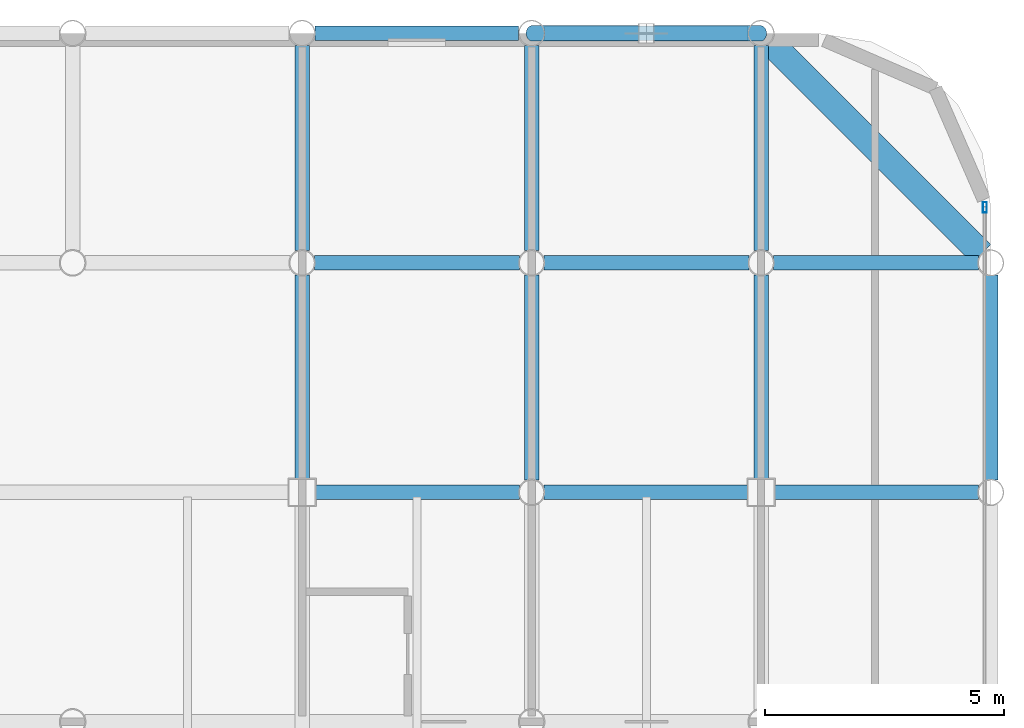
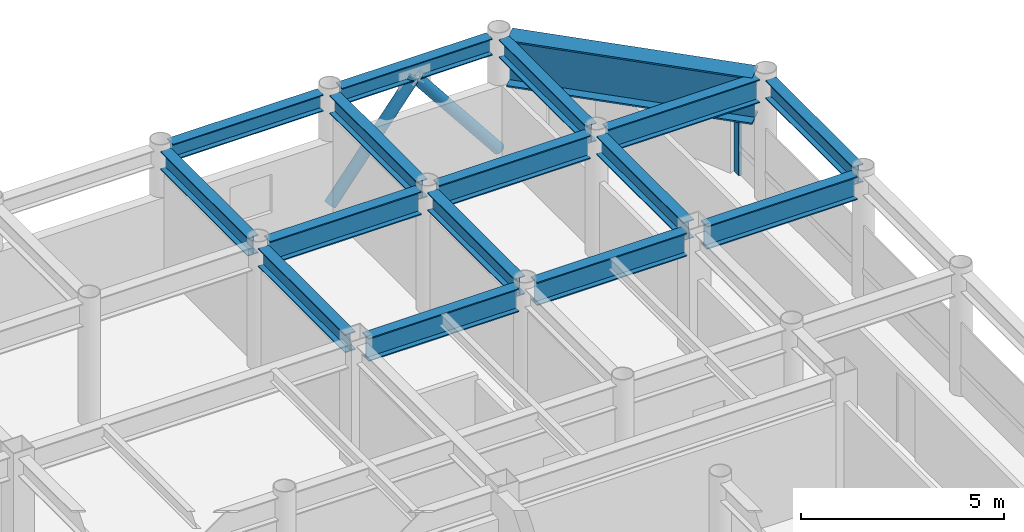
# One storey, part 16 of 22: 16 beams, 3 members, 1 element without a shape of its own.
"""IFC4 building model written with IfcOpenShell, lengths in metres."""

from ifc_helpers import new_model, si_unit, direction, frame, origin, origin_2d, place, context, subcontext, project, spatial, hollow_rectangle, hollow_circle, i_section, extrude, material, layer, layer_set, material_profile, profile_set, type_object, element, aggregate, save


model = new_model("IFC4")

# Units and contexts
model_context = context("Model", 3, precision=1e-05, world=origin(), true_north=direction((0.0, 1.0)))
body_context = subcontext(model_context, "Body", "Model", "MODEL_VIEW")
ifc_project = project(units=[si_unit("LENGTHUNIT", "METRE"), si_unit("AREAUNIT", "SQUARE_METRE"), si_unit("VOLUMEUNIT", "CUBIC_METRE"), si_unit("PLANEANGLEUNIT", "RADIAN"), si_unit("MASSUNIT", "GRAM", prefix="KILO")], contexts=[model_context])

# Site, building, storey
site_placement = place(None, origin())
site = spatial("IfcSite", under=ifc_project, at=site_placement, CompositionType="ELEMENT")
building_placement = place(site_placement, origin())
building = spatial("IfcBuilding", under=site, at=building_placement, Name="Kallvorn Hotel Tower", CompositionType="ELEMENT")
storey_placement = place(building_placement, frame((0.0, 0.0, 253.10009765625)))
storey = spatial("IfcBuildingStorey", under=building, at=storey_placement, Name="L63", CompositionType="ELEMENT", Elevation=253.10009765625)

# Beams
ifc_material_1 = material(Name="Structural steel S355JR", Category="steel")
ifc_material_profile_1 = material_profile(ifc_material_1, i_section(OverallWidth=0.300048828125, OverallDepth=0.5, WebThickness=0.014404296875, FlangeThickness=0.028076171875, at=origin_2d()), Name="HE 500 B")
ifc_profile_set_1 = profile_set([ifc_material_profile_1], Name="Structural steel S355JR")
beam_type_1 = type_object("IfcBeamType", Name="BM_HE500B", PredefinedType="SPANDREL", material=ifc_profile_set_1)
for number, where, z_axis, x_axis, name in (
    (1, (14.66943359375, 24.0, 3.419921875), (1.0, 0.0, 0.0), (0.0, 1.0, 0.0), "L64 Perimeter Spandrel 172"),
    (2, (19.469482421875, 24.0, 3.419921875), (1.0, 0.0, 0.0), (0.0, 1.0, 0.0), "L64 Perimeter Spandrel 173"),
):
    element("IfcBeam", number, at=place(storey_placement, frame(where, z_axis=z_axis, x_axis=x_axis)), inside=storey, type_object=beam_type_1, Name=name, PredefinedType="SPANDREL", context=body_context, shape_type="SweptSolid", body=[
        extrude(i_section(OverallWidth=0.300048828125, OverallDepth=0.5, WebThickness=0.014404296875, FlangeThickness=0.028076171875, at=origin_2d()), origin(), (0.0, 0.0, 1.0), 4.260986328125),
    ])
ifc_material_2 = material(Name="Structural steel S355JR", Category="steel")
ifc_material_profile_2 = material_profile(ifc_material_2, i_section(OverallWidth=0.300048828125, OverallDepth=0.550048828125, WebThickness=0.014892578125, FlangeThickness=0.029052734375, at=origin_2d()), Name="HE 550 B")
ifc_profile_set_2 = profile_set([ifc_material_profile_2], Name="Structural steel S355JR")
beam_type_2 = type_object("IfcBeamType", Name="BM_HE550B", PredefinedType="SPANDREL", material=ifc_profile_set_2)
beam_1_placement = place(storey_placement, frame((14.39990234375, 14.675048828125, 3.39501953125), z_axis=(0.0, 1.0, 0.0), x_axis=(-1.0, 0.0, 0.0)))
element("IfcBeam", 3, at=beam_1_placement, inside=storey, type_object=beam_type_2, Name="L64 Primary Y-Girder 125", PredefinedType="SPANDREL", context=body_context, shape_type="SweptSolid", body=[
    extrude(i_section(OverallWidth=0.300048828125, OverallDepth=0.550048828125, WebThickness=0.014892578125, FlangeThickness=0.029052734375, at=origin_2d()), origin(), (0.0, 0.0, 1.0), 4.2705078125),
])
for number, where, z_axis, x_axis, name in (
    (4, (14.39990234375, 19.45458984375, 3.39501953125), (0.0, 1.0, 0.0), (-1.0, 0.0, 0.0), "L64 Primary Y-Girder 126"),
    (5, (19.199951171875, 14.654541015625, 3.39501953125), (0.0, 1.0, 0.0), (-1.0, 0.0, 0.0), "L64 Primary Y-Girder 134"),
    (6, (19.199951171875, 19.45458984375, 3.39501953125), (0.0, 1.0, 0.0), (-1.0, 0.0, 0.0), "L64 Primary Y-Girder 135"),
):
    element("IfcBeam", number, at=place(storey_placement, frame(where, z_axis=z_axis, x_axis=x_axis)), inside=storey, type_object=beam_type_2, Name=name, PredefinedType="SPANDREL", context=body_context, shape_type="SweptSolid", body=[
        extrude(i_section(OverallWidth=0.300048828125, OverallDepth=0.550048828125, WebThickness=0.014892578125, FlangeThickness=0.029052734375, at=origin_2d()), origin(), (0.0, 0.0, 1.0), 4.291015625),
    ])
beam_2_placement = place(storey_placement, frame((24.0, 14.675048828125, 3.39501953125), z_axis=(0.0, 1.0, 0.0), x_axis=(-1.0, 0.0, 0.0)))
element("IfcBeam", 7, at=beam_2_placement, inside=storey, type_object=beam_type_2, Name="L64 Primary Y-Girder 141", PredefinedType="SPANDREL", context=body_context, shape_type="SweptSolid", body=[
    extrude(i_section(OverallWidth=0.300048828125, OverallDepth=0.550048828125, WebThickness=0.014892578125, FlangeThickness=0.029052734375, at=origin_2d()), origin(), (0.0, 0.0, 1.0), 4.2705078125),
])
for number, where, z_axis, x_axis, name in (
    (8, (24.0, 19.45458984375, 3.39501953125), (0.0, 1.0, 0.0), (-1.0, 0.0, 0.0), "L64 Primary Y-Girder 142"),
    (9, (28.800048828125, 14.654541015625, 3.39501953125), (0.0, 1.0, 0.0), (-1.0, 0.0, 0.0), "L64 Primary Y-Girder 150"),
):
    element("IfcBeam", number, at=place(storey_placement, frame(where, z_axis=z_axis, x_axis=x_axis)), inside=storey, type_object=beam_type_2, Name=name, PredefinedType="SPANDREL", context=body_context, shape_type="SweptSolid", body=[
        extrude(i_section(OverallWidth=0.300048828125, OverallDepth=0.550048828125, WebThickness=0.014892578125, FlangeThickness=0.029052734375, at=origin_2d()), origin(), (0.0, 0.0, 1.0), 4.291015625),
    ])
ifc_material_3 = material(Name="Structural steel S355JR", Category="steel")
ifc_material_profile_3 = material_profile(ifc_material_3, i_section(OverallWidth=0.300048828125, OverallDepth=0.699951171875, WebThickness=0.01708984375, FlangeThickness=0.031982421875, at=origin_2d()), Name="HE 700 B")
ifc_profile_set_3 = profile_set([ifc_material_profile_3], Name="Structural steel S355JR")
beam_type_3 = type_object("IfcBeamType", Name="BM_HE700B", PredefinedType="BEAM", material=ifc_profile_set_3)
for number, where, z_axis, x_axis, name in (
    (10, (14.675048828125, 14.39990234375, 3.31982421875), (1.0, 0.0, 0.0), (0.0, 1.0, 0.0), "L64 Primary X-Girder 57"),
    (11, (19.45458984375, 14.39990234375, 3.31982421875), (1.0, 0.0, 0.0), (0.0, 1.0, 0.0), "L64 Primary X-Girder 58"),
    (12, (24.27490234375, 14.39990234375, 3.31982421875), (1.0, 0.0, 0.0), (0.0, 1.0, 0.0), "L64 Primary X-Girder 59"),
):
    element("IfcBeam", number, at=place(storey_placement, frame(where, z_axis=z_axis, x_axis=x_axis)), inside=storey, type_object=beam_type_3, Name=name, PredefinedType="BEAM", context=body_context, shape_type="SweptSolid", body=[
        extrude(i_section(OverallWidth=0.300048828125, OverallDepth=0.699951171875, WebThickness=0.01708984375, FlangeThickness=0.031982421875, at=origin_2d()), origin(), (0.0, 0.0, 1.0), 4.2705078125),
    ])
for number, where, z_axis, x_axis, name in (
    (13, (14.654541015625, 19.199951171875, 3.31982421875), (1.0, 0.0, 0.0), (0.0, 1.0, 0.0), "L64 Primary X-Girder 70"),
    (14, (19.45458984375, 19.199951171875, 3.31982421875), (1.0, 0.0, 0.0), (0.0, 1.0, 0.0), "L64 Primary X-Girder 71"),
    (15, (24.25439453125, 19.199951171875, 3.31982421875), (1.0, 0.0, 0.0), (0.0, 1.0, 0.0), "L64 Primary X-Girder 72"),
):
    element("IfcBeam", number, at=place(storey_placement, frame(where, z_axis=z_axis, x_axis=x_axis)), inside=storey, type_object=beam_type_3, Name=name, PredefinedType="BEAM", context=body_context, shape_type="SweptSolid", body=[
        extrude(i_section(OverallWidth=0.300048828125, OverallDepth=0.699951171875, WebThickness=0.01708984375, FlangeThickness=0.031982421875, at=origin_2d()), origin(), (0.0, 0.0, 1.0), 4.291015625),
    ])
ifc_material_4 = material(Name="Structural steel S355JR", Category="steel")
ifc_material_profile_4 = material_profile(ifc_material_4, i_section(OverallWidth=0.550048828125, OverallDepth=1.39990234375, WebThickness=0.02490234375, FlangeThickness=0.044921875, at=origin_2d()), Name="PG 1400x550x25x45")
ifc_profile_set_4 = profile_set([ifc_material_profile_4], Name="Structural steel S355JR")
beam_type_4 = type_object("IfcBeamType", Name="BM_PG_1400", PredefinedType="BEAM", material=ifc_profile_set_4)
beam_3_placement = place(storey_placement, frame((28.609375, 19.390625, 2.969970703125), z_axis=(-0.707106781187, 0.707106781187, 0.0), x_axis=(-0.707106781187, -0.707106781187, 0.0)))
element("IfcBeam", 16, at=beam_3_placement, inside=storey, type_object=beam_type_4, Name="L64 Rounded Corner Tie Beam 191", PredefinedType="BEAM", context=body_context, shape_type="SweptSolid", body=[
    extrude(i_section(OverallWidth=0.550048828125, OverallDepth=1.39990234375, WebThickness=0.02490234375, FlangeThickness=0.044921875, at=origin_2d()), origin(), (0.0, 0.0, 1.0), 6.2490234375),
])

# Curtain wall, member
ifc_material_5 = material(Name="Thermally broken black-anodised aluminium AA 6063-T6", Category="aluminium")
ifc_layer = layer(ifc_material_5, 0.22998046875)
ifc_layer_set = layer_set([ifc_layer], Name="CW_SYS_5_HOTEL_HIGH")
curtain_wall_type = type_object("IfcCurtainWallType", Name="CW_SYS_5_HOTEL_HIGH", PredefinedType="USERDEFINED", material=ifc_layer_set)
curtain_wall_placement = place(storey_placement, origin())
curtain_wall = element("IfcCurtainWall", 17, at=curtain_wall_placement, inside=storey, type_object=curtain_wall_type, Name="L63 Dark-Glass Curtain Wall CW-L63-EN", ObjectType="UNITISED CURTAIN WALL", PredefinedType="USERDEFINED")
ifc_material_6 = material(Name="Thermally broken black-anodised aluminium AA 6063-T6", Category="aluminium")
ifc_material_profile_5 = material_profile(ifc_material_6, hollow_rectangle(XDim=0.080078125, YDim=0.219970703125, WallThickness=0.0048828125, at=origin_2d()), Name="MUL 220x80")
ifc_profile_set_5 = profile_set([ifc_material_profile_5], Name="Thermally broken black-anodised aluminium AA 6063-T6")
member_type_1 = type_object("IfcMemberType", Name="CW_MULLION_220x80", PredefinedType="MULLION", material=ifc_profile_set_5)
member_placement = place(storey_placement, frame((28.679931640625, 20.360107421875, 0.02001953125), z_axis=(0.0, 0.0, 1.0), x_axis=(1.0, 0.0, 0.0)))
member = element("IfcMember", 18, at=member_placement, type_object=member_type_1, Name="CW-L63-EN Mullion 01", PredefinedType="MULLION", context=body_context, shape_type="SweptSolid", body=[
    extrude(hollow_rectangle(XDim=0.080078125, YDim=0.219970703125, WallThickness=0.0048828125, at=origin_2d()), origin(), (0.0, 0.0, 1.0), 2.22998046875),
])
aggregate(curtain_wall, [member])

# Members
ifc_material_7 = material(Name="Structural steel S355J2H", Category="steel")
ifc_material_profile_6 = material_profile(ifc_material_7, hollow_circle(Radius=0.161865234375, WallThickness=0.012451171875, at=origin_2d()), Name="CHS 323.9x12.5")
ifc_profile_set_6 = profile_set([ifc_material_profile_6], Name="Structural steel S355J2H")
member_type_2 = type_object("IfcMemberType", Name="MBR_EXO_CHS323", PredefinedType="BRACE", material=ifc_profile_set_6)
for number, where, z_axis, x_axis, name in (
    (19, (19.21240234375, 24.0, 0.195556640625), (0.620928510901, 0.0, 0.783867198159), (0.0, 1.0, 0.0), "L63 Exoskeleton K-Brace N2A"),
    (20, (23.987548828125, 24.0, 0.195556640625), (-0.620928510901, 0.0, 0.783867198159), (0.0, -1.0, 0.0), "L63 Exoskeleton K-Brace N2B"),
):
    element("IfcMember", number, at=place(storey_placement, frame(where, z_axis=z_axis, x_axis=x_axis)), inside=storey, type_object=member_type_2, Name=name, PredefinedType="BRACE", context=body_context, shape_type="SweptSolid", body=[
        extrude(hollow_circle(Radius=0.161865234375, WallThickness=0.012451171875, at=origin_2d()), origin(), (0.0, 0.0, 1.0), 3.8251953125),
    ])

save(model, "model.ifc")
